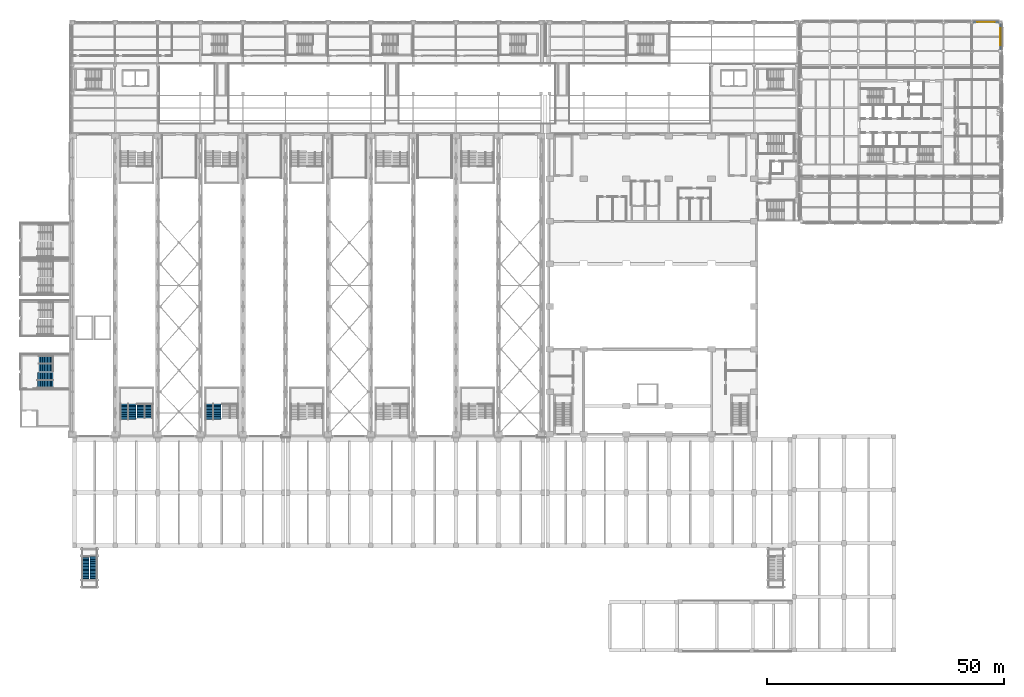
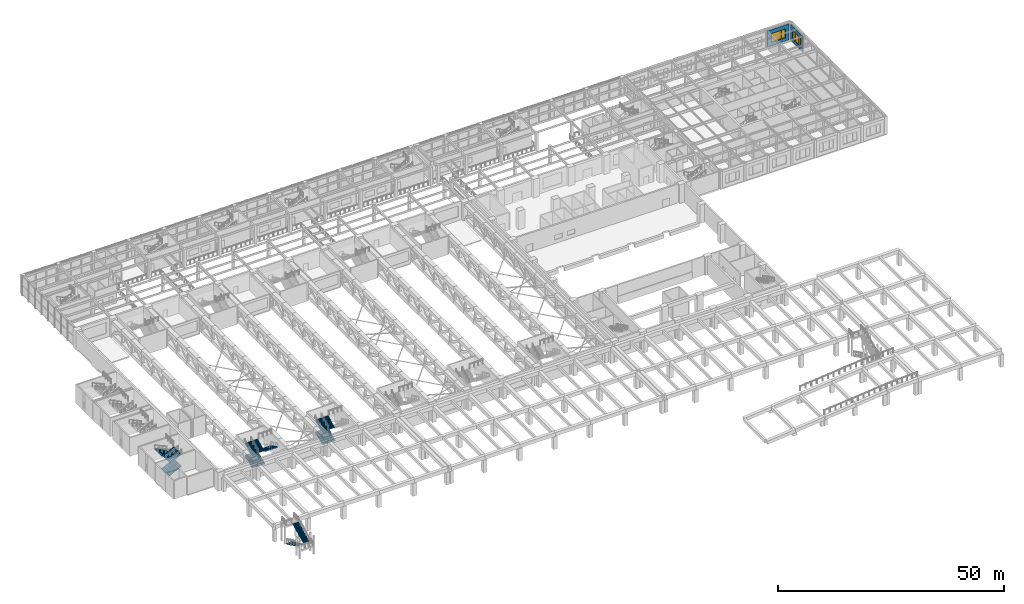
# One storey, part 46 of 76: 18 stair flights, 2 walls, 2 windows, 2 openings, 7 elements without a shape of their own.
"""IFC4 building model written with IfcOpenShell, lengths in metres."""

import ifcopenshell
import ifcopenshell.guid

model = None  # the IFC model being written
_history = None  # IfcOwnerHistory: only IFC2X3 demands one
_inside = {}  # id of a spatial element -> (the spatial element, [elements in it])
_under = {}  # id of a project, library or spatial element -> (it, [spatial elements below it])
_declared = {}  # id of a project -> (the project, [libraries it declares])
_typed = {}  # id of a type object -> (the type object, [elements of that type])
_made_of = {}  # id of a material, layer set ... -> (it, [elements and type objects made of it])


def new_model(schema):
    """Start an empty IFC model of exactly this schema.

    Asked for "IFC4X3", IfcOpenShell would pick the latest addendum, in which some entities
    have other attributes; the version numbers below select the first issue.
    IFC2X3 requires an IfcOwnerHistory on every rooted entity: one is made here for all.
    """
    global model, _history
    if schema == "IFC4X3":
        model = ifcopenshell.file(schema_version=(4, 3, 0, 0))
    else:
        model = ifcopenshell.file(schema=schema)
    _inside.clear()
    _under.clear()
    _declared.clear()
    _typed.clear()
    _made_of.clear()
    _history = None
    if model.schema == "IFC2X3":
        org = make("IfcOrganization", Name="unknown")
        user = make(
            "IfcPersonAndOrganization",
            ThePerson=make("IfcPerson", FamilyName="unknown"),
            TheOrganization=org,
        )
        app = make(
            "IfcApplication",
            ApplicationDeveloper=org,
            Version="unknown",
            ApplicationFullName="unknown",
            ApplicationIdentifier="unknown",
        )
        _history = make(
            "IfcOwnerHistory",
            OwningUser=user,
            OwningApplication=app,
            ChangeAction="ADDED",
            CreationDate=0,
        )
    return model


def make(cls, **values):
    """One entity of the class cls with the attributes given. An attribute that is None is left unset."""
    return model.create_entity(
        cls, **{name: value for name, value in values.items() if value is not None}
    )


def rooted(cls, **values):
    """An entity with a GlobalId (a new one), such as an element, a storey or a relation."""
    return make(cls, GlobalId=ifcopenshell.guid.new(), OwnerHistory=_history, **values)


def si_unit(unit_type, name, prefix=None):
    """IfcSIUnit, for example si_unit("LENGTHUNIT", "METRE", prefix="MILLI")."""
    return make("IfcSIUnit", UnitType=unit_type, Prefix=prefix, Name=name)


def assignment(units):
    """IfcUnitAssignment: the units of a project."""
    return None if units is None else make("IfcUnitAssignment", Units=units)


def point(xyz):
    """IfcCartesianPoint."""
    return None if xyz is None else make("IfcCartesianPoint", Coordinates=xyz)


def direction(xyz):
    """IfcDirection."""
    return None if xyz is None else make("IfcDirection", DirectionRatios=xyz)


def frame(location, z_axis=None, x_axis=None):
    """IfcAxis2Placement3D, a coordinate frame: its origin and axes. An axis left out is left unset."""
    return make(
        "IfcAxis2Placement3D",
        Location=point(location),
        Axis=direction(z_axis),
        RefDirection=direction(x_axis),
    )


def frame_2d(location, x_axis=None):
    """IfcAxis2Placement2D, a coordinate frame in the plane: its origin and x axis."""
    return make(
        "IfcAxis2Placement2D", Location=point(location), RefDirection=direction(x_axis)
    )


def origin():
    """The frame at (0, 0, 0) with its axes left unset."""
    return frame((0.0, 0.0, 0.0))


def place(relative_to, where):
    """IfcLocalPlacement: puts the frame where relative to a parent placement (None: the world)."""
    return make(
        "IfcLocalPlacement", PlacementRelTo=relative_to, RelativePlacement=where
    )


def context(
    kind, dimensions, precision=None, world=None, true_north=None, identifier=None
):
    """IfcGeometricRepresentationContext, for example the 3D "Model" context."""
    return make(
        "IfcGeometricRepresentationContext",
        ContextIdentifier=identifier,
        ContextType=kind,
        CoordinateSpaceDimension=dimensions,
        Precision=precision,
        WorldCoordinateSystem=world,
        TrueNorth=true_north,
    )


def subcontext(parent, identifier, kind, view, scale=None):
    """IfcGeometricRepresentationSubContext, for example "Body" below "Model"."""
    return make(
        "IfcGeometricRepresentationSubContext",
        ContextIdentifier=identifier,
        ContextType=kind,
        ParentContext=parent,
        TargetScale=scale,
        TargetView=view,
    )


def project(units=None, contexts=None):
    """IfcProject with its units and contexts."""
    return rooted(
        "IfcProject",
        Name="project",
        RepresentationContexts=contexts,
        UnitsInContext=assignment(units),
    )


def spatial(cls, under=None, at=None, **own):
    """A site, building, storey or space (cls), placed at a placement, below another one or the project."""
    s = rooted(cls, ObjectPlacement=at, **own)
    if under is not None:
        _under.setdefault(under.id(), (under, []))[1].append(s)
    return s


def polyline(points):
    """IfcPolyline through the points."""
    return make("IfcPolyline", Points=[point(p) for p in points])


def profile(cls, at=None, kind="AREA", **sizes):
    """A parametric profile (cls). Its sizes go by their IFC names, for example OverallWidth=200.0."""
    return make(cls, ProfileType=kind, Position=at, **sizes)


def rectangle(**sizes):
    """IfcRectangleProfileDef."""
    return profile("IfcRectangleProfileDef", **sizes)


def outline(outer, holes=None, kind="AREA"):
    """IfcArbitraryClosedProfileDef: a profile drawn as a closed curve; with holes, ...WithVoids."""
    if holes is None:
        return make("IfcArbitraryClosedProfileDef", ProfileType=kind, OuterCurve=outer)
    return make(
        "IfcArbitraryProfileDefWithVoids",
        ProfileType=kind,
        OuterCurve=outer,
        InnerCurves=holes,
    )


def extrude(swept, where, along, depth):
    """IfcExtrudedAreaSolid: the profile swept, set in the frame where, extruded along a direction by depth."""
    return make(
        "IfcExtrudedAreaSolid",
        SweptArea=swept,
        Position=where,
        ExtrudedDirection=direction(along),
        Depth=depth,
    )


def shape(context_of_items, identifier, shape_type, items):
    """IfcShapeRepresentation: the items that make up one representation, for example the "Body"."""
    return make(
        "IfcShapeRepresentation",
        ContextOfItems=context_of_items,
        RepresentationIdentifier=identifier,
        RepresentationType=shape_type,
        Items=items,
    )


def material(Name=None, Category=None):
    """IfcMaterial."""
    return make("IfcMaterial", Name=Name, Category=Category)


def layer(
    of_material, thickness, ventilated=None, Name=None, Category=None, Priority=None
):
    """IfcMaterialLayer: one layer of a wall or slab, of a material (None: an air gap)."""
    return make(
        "IfcMaterialLayer",
        Material=of_material,
        LayerThickness=thickness,
        IsVentilated=ventilated,
        Name=Name,
        Category=Category,
        Priority=Priority,
    )


def layer_set(layers, Name=None):
    """IfcMaterialLayerSet."""
    return make("IfcMaterialLayerSet", MaterialLayers=layers, LayerSetName=Name)


def made_of(thing, what):
    """Note that an element or type object is made of a material, layer set ...; save() writes the relation."""
    if what is not None:
        _made_of.setdefault(what.id(), (what, []))[1].append(thing)
    return thing


def type_object(cls, material=None, **own):
    """A type object (cls), such as IfcWallType, which elements share."""
    return made_of(rooted(cls, **own), material)


def element(
    cls,
    number,
    at=None,
    inside=None,
    cuts=None,
    type_object=None,
    material=None,
    context=None,
    identifier="Body",
    shape_type=None,
    held_by="IfcProductDefinitionShape",
    body=None,
    shapes=None,
    **own,
):
    """One element of the class cls, such as IfcWall. Its Tag is "e" and its number.

    at: its placement. inside: the storey or other place that contains it. cuts: it is an
    opening in that element (IfcRelVoidsElement). A single representation is given by context,
    identifier, shape_type and body (its items); several are given by shapes. held_by: the class
    of the entity that holds the representations. save() writes the other relations.
    """
    e = rooted(cls, Tag="e%d" % number, ObjectPlacement=at, **own)
    if body is not None:
        shapes = [shape(context, identifier, shape_type, body)]
    if shapes is not None:
        e.Representation = make(held_by, Representations=shapes)
    if inside is not None:
        _inside.setdefault(inside.id(), (inside, []))[1].append(e)
    if cuts is not None:
        rooted(
            "IfcRelVoidsElement", RelatingBuildingElement=cuts, RelatedOpeningElement=e
        )
    if type_object is not None:
        _typed.setdefault(type_object.id(), (type_object, []))[1].append(e)
    return made_of(e, material)


def fill(opening, filler):
    """IfcRelFillsElement: the door or window that sits in an opening."""
    return rooted(
        "IfcRelFillsElement",
        RelatingOpeningElement=opening,
        RelatedBuildingElement=filler,
    )


def aggregate(whole, parts):
    """IfcRelAggregates: a whole, such as a stair, and the parts it consists of."""
    return rooted("IfcRelAggregates", RelatingObject=whole, RelatedObjects=parts)


def save(model, path):
    """Write the relations noted so far, then the file.

    IfcRelAggregates (storeys below a building ...), IfcRelContainedInSpatialStructure (elements
    in a storey), IfcRelDefinesByType, IfcRelAssociatesMaterial and IfcRelDeclares: one each for
    every whole, place, type object, material and project.
    """
    for whole, parts in _under.values():
        aggregate(whole, parts)
    for where, things in _inside.values():
        rooted(
            "IfcRelContainedInSpatialStructure",
            RelatedElements=things,
            RelatingStructure=where,
        )
    for kind, things in _typed.values():
        rooted("IfcRelDefinesByType", RelatedObjects=things, RelatingType=kind)
    for what, things in _made_of.values():
        rooted("IfcRelAssociatesMaterial", RelatedObjects=things, RelatingMaterial=what)
    for by, libraries in _declared.values():
        rooted("IfcRelDeclares", RelatingContext=by, RelatedDefinitions=libraries)
    model.write(path)


model = new_model("IFC4")

# Units and contexts
model_context = context("Model", 3, precision=1e-05, world=origin(), true_north=direction((0.0, 1.0)))
body_context = subcontext(model_context, "Body", "Model", "MODEL_VIEW")
ifc_project = project(units=[si_unit("LENGTHUNIT", "METRE"), si_unit("AREAUNIT", "SQUARE_METRE"), si_unit("VOLUMEUNIT", "CUBIC_METRE"), si_unit("PLANEANGLEUNIT", "RADIAN"), si_unit("MASSUNIT", "GRAM", prefix="KILO")], contexts=[model_context])

# Site, building, storey
site_placement = place(None, origin())
site = spatial("IfcSite", under=ifc_project, at=site_placement, CompositionType="ELEMENT")
building_placement = place(site_placement, origin())
building = spatial("IfcBuilding", under=site, at=building_placement, Name="Aravalli Gate Trade Fair Centre", CompositionType="ELEMENT")
storey_placement = place(building_placement, frame((0.0, 0.0, 10.0)))
storey = spatial("IfcBuildingStorey", under=building, at=storey_placement, Name="L02", CompositionType="ELEMENT", Elevation=10.0)

# Wall, opening, window
ifc_material_1 = material(Name="Concrete block masonry", Category="masonry")
ifc_layer_1 = layer(ifc_material_1, 0.2099609375, Name="Block masonry")
ifc_material_2 = material(Name="Terracotta cladding", Category="masonry")
ifc_layer_2 = layer(ifc_material_2, 0.0400390625, Name="Terracotta cladding")
ifc_layer_set = layer_set([ifc_layer_1, ifc_layer_2], Name="Wing terracotta clad infill wall 250")
wall_type = type_object("IfcWallType", Name="Wing terracotta clad infill wall 250", PredefinedType="SOLIDWALL", material=ifc_layer_set)
wall_1_placement = place(storey_placement, frame((196.27490234375, 133.074951171875, 0.0), z_axis=(0.0, 0.0, 1.0), x_axis=(1.0, 0.0, 0.0)))
wall_1 = element("IfcWall", 1, at=wall_1_placement, inside=storey, type_object=wall_type, Name="Facade wall N6 L02", PredefinedType="SOLIDWALL", context=body_context, shape_type="SweptSolid", body=[
    extrude(rectangle(XDim=5.4501953125, YDim=0.25, at=frame_2d((2.72509765625, 0.0))), origin(), (0.0, 0.0, 1.0), 4.35009765625),
])
opening_1_placement = place(wall_1_placement, frame((0.925048828125, 0.0, 0.89990234375)))
opening_1 = element("IfcOpeningElement", 2, at=opening_1_placement, cuts=wall_1, Name="Opening TWN1", PredefinedType="OPENING", context=body_context, shape_type="SweptSolid", body=[
    extrude(rectangle(XDim=3.60009765625, YDim=2.39990234375, at=frame_2d((1.800048828125, 1.199951171875))), frame((0.0, 0.135009765625, 0.0), z_axis=(0.0, -1.0, 0.0), x_axis=(1.0, 0.0, 0.0)), (0.0, 0.0, 1.0), 0.27001953125),
])
ifc_material_3 = material(Name="Aluminium and glass", Category="aluminium")
window_type = type_object("IfcWindowType", Name="Wing chicago window 3600 x 2400", PartitioningType="TRIPLE_PANEL_VERTICAL", PredefinedType="WINDOW", material=ifc_material_3)
window_1_placement = place(opening_1_placement, origin())
window_1 = element("IfcWindow", 3, at=window_1_placement, inside=storey, type_object=window_type, Name="Window N6 L02", OverallHeight=2.39990234375, OverallWidth=3.60009765625, PartitioningType="TRIPLE_PANEL_VERTICAL", PredefinedType="WINDOW", context=body_context, shape_type="SweptSolid", body=[
    extrude(outline(polyline([(0.0, 0.0), (3.60009765625, 0.0), (3.60009765625, 2.39990234375), (0.0, 2.39990234375), (0.0, 0.0)]), holes=[polyline([(0.06005859375, 0.06005859375), (0.9599609375, 0.06005859375), (0.9599609375, 2.33984375), (0.06005859375, 2.33984375), (0.06005859375, 0.06005859375)]), polyline([(1.06005859375, 0.06005859375), (2.539794921875, 0.06005859375), (2.539794921875, 2.33984375), (1.06005859375, 2.33984375), (1.06005859375, 0.06005859375)]), polyline([(2.639892578125, 0.06005859375), (3.539794921875, 0.06005859375), (3.539794921875, 2.33984375), (2.639892578125, 2.33984375), (2.639892578125, 0.06005859375)])]), frame((0.0, 0.030029296875, 0.0), z_axis=(0.0, -1.0, 0.0), x_axis=(1.0, 0.0, 0.0)), (0.0, 0.0, 1.0), 0.06005859375),
    extrude(rectangle(XDim=0.923828125, YDim=2.3037109375, at=frame_2d((0.510009765625, 1.199951171875))), frame((0.0, 0.010009765625, 0.0), z_axis=(0.0, -1.0, 0.0), x_axis=(1.0, 0.0, 0.0)), (0.0, 0.0, 1.0), 0.02001953125),
    extrude(rectangle(XDim=1.503662109375, YDim=2.3037109375, at=frame_2d((1.7998046875, 1.199951171875))), frame((0.0, 0.010009765625, 0.0), z_axis=(0.0, -1.0, 0.0), x_axis=(1.0, 0.0, 0.0)), (0.0, 0.0, 1.0), 0.02001953125),
    extrude(rectangle(XDim=0.923828125, YDim=2.3037109375, at=frame_2d((3.08984375, 1.199951171875))), frame((0.0, 0.010009765625, 0.0), z_axis=(0.0, -1.0, 0.0), x_axis=(1.0, 0.0, 0.0)), (0.0, 0.0, 1.0), 0.02001953125),
])
fill(opening_1, window_1)

wall_2_placement = place(storey_placement, frame((202.074951171875, 127.27490234375, 0.0), z_axis=(0.0, 0.0, 1.0), x_axis=(0.0, 1.0, 0.0)))
wall_2 = element("IfcWall", 4, at=wall_2_placement, inside=storey, type_object=wall_type, Name="Facade wall E6 L02", PredefinedType="SOLIDWALL", context=body_context, shape_type="SweptSolid", body=[
    extrude(rectangle(XDim=5.4501953125, YDim=0.25, at=frame_2d((2.72509765625, 0.0))), origin(), (0.0, 0.0, 1.0), 4.35009765625),
])
opening_2_placement = place(wall_2_placement, frame((0.925048828125, 0.0, 0.89990234375)))
opening_2 = element("IfcOpeningElement", 5, at=opening_2_placement, cuts=wall_2, Name="Opening TWN1", PredefinedType="OPENING", context=body_context, shape_type="SweptSolid", body=[
    extrude(rectangle(XDim=3.60009765625, YDim=2.39990234375, at=frame_2d((1.800048828125, 1.199951171875))), frame((0.0, 0.135009765625, 0.0), z_axis=(0.0, -1.0, 0.0), x_axis=(1.0, 0.0, 0.0)), (0.0, 0.0, 1.0), 0.27001953125),
])
window_2_placement = place(opening_2_placement, origin())
window_2 = element("IfcWindow", 6, at=window_2_placement, inside=storey, type_object=window_type, Name="Window E6 L02", OverallHeight=2.39990234375, OverallWidth=3.60009765625, PartitioningType="TRIPLE_PANEL_VERTICAL", PredefinedType="WINDOW", context=body_context, shape_type="SweptSolid", body=[
    extrude(outline(polyline([(0.0, 0.0), (3.60009765625, 0.0), (3.60009765625, 2.39990234375), (0.0, 2.39990234375), (0.0, 0.0)]), holes=[polyline([(0.06005859375, 0.06005859375), (0.9599609375, 0.06005859375), (0.9599609375, 2.33984375), (0.06005859375, 2.33984375), (0.06005859375, 0.06005859375)]), polyline([(1.06005859375, 0.06005859375), (2.539794921875, 0.06005859375), (2.539794921875, 2.33984375), (1.06005859375, 2.33984375), (1.06005859375, 0.06005859375)]), polyline([(2.639892578125, 0.06005859375), (3.539794921875, 0.06005859375), (3.539794921875, 2.33984375), (2.639892578125, 2.33984375), (2.639892578125, 0.06005859375)])]), frame((0.0, 0.030029296875, 0.0), z_axis=(0.0, -1.0, 0.0), x_axis=(1.0, 0.0, 0.0)), (0.0, 0.0, 1.0), 0.06005859375),
    extrude(rectangle(XDim=0.923828125, YDim=2.3037109375, at=frame_2d((0.510009765625, 1.199951171875))), frame((0.0, 0.010009765625, 0.0), z_axis=(0.0, -1.0, 0.0), x_axis=(1.0, 0.0, 0.0)), (0.0, 0.0, 1.0), 0.02001953125),
    extrude(rectangle(XDim=1.503662109375, YDim=2.3037109375, at=frame_2d((1.7998046875, 1.199951171875))), frame((0.0, 0.010009765625, 0.0), z_axis=(0.0, -1.0, 0.0), x_axis=(1.0, 0.0, 0.0)), (0.0, 0.0, 1.0), 0.02001953125),
    extrude(rectangle(XDim=0.923828125, YDim=2.3037109375, at=frame_2d((3.08984375, 1.199951171875))), frame((0.0, 0.010009765625, 0.0), z_axis=(0.0, -1.0, 0.0), x_axis=(1.0, 0.0, 0.0)), (0.0, 0.0, 1.0), 0.02001953125),
])
fill(opening_2, window_2)

# Stair, stair flights
ifc_material_4 = material(Name="Concrete M45", Category="concrete")
stair_type_1 = type_object("IfcStairType", Name="External stair 1500", PredefinedType="HALF_TURN_STAIR", material=ifc_material_4)
stair_1_placement = place(storey_placement, origin())
stair_1 = element("IfcStair", 7, at=stair_1_placement, inside=storey, type_object=stair_type_1, Name="External stair 1 L02", PredefinedType="HALF_TURN_STAIR")
stair_flight_type_1 = type_object("IfcStairFlightType", Name="External stair flight 1500", PredefinedType="STRAIGHT", material=ifc_material_4)
stair_flight_1_placement = place(storey_placement, frame((8.75, 20.199951171875, 0.0), z_axis=(0.0, 0.0, 1.0), x_axis=(0.0, -1.0, 0.0)))
stair_flight_1 = element("IfcStairFlight", 8, at=stair_flight_1_placement, type_object=stair_flight_type_1, Name="SST3 flight 1", NumberOfRisers=17, NumberOfTreads=16, PredefinedType="STRAIGHT", RiserHeight=0.147058824, TreadLength=0.3, context=body_context, shape_type="SweptSolid", body=[
    extrude(outline(polyline([(0.0, 0.0), (0.0, 0.14697265625), (0.300048828125, 0.14697265625), (0.300048828125, 0.294189453125), (0.60009765625, 0.294189453125), (0.60009765625, 0.441162109375), (0.89990234375, 0.441162109375), (0.89990234375, 0.588134765625), (1.199951171875, 0.588134765625), (1.199951171875, 0.7353515625), (1.5, 0.7353515625), (1.5, 0.88232421875), (1.800048828125, 0.88232421875), (1.800048828125, 1.029296875), (2.10009765625, 1.029296875), (2.10009765625, 1.176513671875), (2.39990234375, 1.176513671875), (2.39990234375, 1.323486328125), (2.699951171875, 1.323486328125), (2.699951171875, 1.470703125), (3.0, 1.470703125), (3.0, 1.61767578125), (3.300048828125, 1.61767578125), (3.300048828125, 1.7646484375), (3.60009765625, 1.7646484375), (3.60009765625, 1.911865234375), (3.89990234375, 1.911865234375), (3.89990234375, 2.058837890625), (4.199951171875, 2.058837890625), (4.199951171875, 2.205810546875), (4.5, 2.205810546875), (4.5, 2.35302734375), (4.800048828125, 2.35302734375), (4.800048828125, 2.5), (4.800048828125, 2.18603515625), (0.340576171875, 0.0), (0.0, 0.0)])), frame((0.0, 0.75, 0.0), z_axis=(0.0, -1.0, 0.0), x_axis=(1.0, 0.0, 0.0)), (0.0, 0.0, 1.0), 1.5),
])
stair_flight_2_placement = place(storey_placement, frame((10.449951171875, 15.39990234375, 2.5), z_axis=(0.0, 0.0, 1.0), x_axis=(0.0, 1.0, 0.0)))
stair_flight_2 = element("IfcStairFlight", 9, at=stair_flight_2_placement, type_object=stair_flight_type_1, Name="SST3 flight 2", NumberOfRisers=17, NumberOfTreads=16, PredefinedType="STRAIGHT", RiserHeight=0.147058824, TreadLength=0.3, context=body_context, shape_type="SweptSolid", body=[
    extrude(outline(polyline([(0.0, 0.0), (0.0, 0.14697265625), (0.300048828125, 0.14697265625), (0.300048828125, 0.294189453125), (0.60009765625, 0.294189453125), (0.60009765625, 0.441162109375), (0.89990234375, 0.441162109375), (0.89990234375, 0.588134765625), (1.199951171875, 0.588134765625), (1.199951171875, 0.7353515625), (1.5, 0.7353515625), (1.5, 0.88232421875), (1.800048828125, 0.88232421875), (1.800048828125, 1.029296875), (2.10009765625, 1.029296875), (2.10009765625, 1.176513671875), (2.39990234375, 1.176513671875), (2.39990234375, 1.323486328125), (2.699951171875, 1.323486328125), (2.699951171875, 1.470703125), (3.0, 1.470703125), (3.0, 1.61767578125), (3.300048828125, 1.61767578125), (3.300048828125, 1.7646484375), (3.60009765625, 1.7646484375), (3.60009765625, 1.911865234375), (3.89990234375, 1.911865234375), (3.89990234375, 2.058837890625), (4.199951171875, 2.058837890625), (4.199951171875, 2.205810546875), (4.5, 2.205810546875), (4.5, 2.35302734375), (4.800048828125, 2.35302734375), (4.800048828125, 2.5), (4.800048828125, 2.18603515625), (0.340576171875, 0.0), (0.0, 0.0)])), frame((0.0, 0.75, 0.0), z_axis=(0.0, -1.0, 0.0), x_axis=(1.0, 0.0, 0.0)), (0.0, 0.0, 1.0), 1.5),
])
aggregate(stair_1, [stair_flight_1, stair_flight_2])

ifc_material_5 = material(Name="Concrete M40", Category="concrete")
stair_type_2 = type_object("IfcStairType", Name="Hall exit stair, three flights", PredefinedType="HALF_TURN_STAIR", material=ifc_material_5)
stair_2_placement = place(storey_placement, origin())
stair_2 = element("IfcStair", 10, at=stair_2_placement, inside=storey, type_object=stair_type_2, Name="Exit stair ST-S02 lane A L02", PredefinedType="HALF_TURN_STAIR")
stair_flight_type_2 = type_object("IfcStairFlightType", Name="Hall exit stair flight", PredefinedType="STRAIGHT", material=ifc_material_5)
stair_flight_3_placement = place(storey_placement, frame((16.919921875, 49.14990234375, 0.0), z_axis=(0.0, 0.0, 1.0), x_axis=(0.0, 1.0, 0.0)))
stair_flight_3 = element("IfcStairFlight", 11, at=stair_flight_3_placement, type_object=stair_flight_type_2, Name="ST-S02A flight 1", NumberOfRisers=12, NumberOfTreads=11, PredefinedType="STRAIGHT", RiserHeight=0.147058824, TreadLength=0.3, context=body_context, shape_type="SweptSolid", body=[
    extrude(outline(polyline([(0.0, 0.0), (0.0, 0.14697265625), (0.300048828125, 0.14697265625), (0.300048828125, 0.294189453125), (0.60009765625, 0.294189453125), (0.60009765625, 0.441162109375), (0.89990234375, 0.441162109375), (0.89990234375, 0.588134765625), (1.199951171875, 0.588134765625), (1.199951171875, 0.7353515625), (1.5, 0.7353515625), (1.5, 0.88232421875), (1.800048828125, 0.88232421875), (1.800048828125, 1.029296875), (2.10009765625, 1.029296875), (2.10009765625, 1.176513671875), (2.39990234375, 1.176513671875), (2.39990234375, 1.323486328125), (2.699951171875, 1.323486328125), (2.699951171875, 1.470703125), (3.0, 1.470703125), (3.0, 1.61767578125), (3.300048828125, 1.61767578125), (3.300048828125, 1.7646484375), (3.300048828125, 1.45068359375), (0.340576171875, 0.0), (0.0, 0.0)])), frame((0.0, 0.81982421875, 0.0), z_axis=(0.0, -1.0, 0.0), x_axis=(1.0, 0.0, 0.0)), (0.0, 0.0, 1.0), 1.639892578125),
])
stair_flight_4_placement = place(storey_placement, frame((20.419921875, 52.449951171875, 1.7646484375), z_axis=(0.0, 0.0, 1.0), x_axis=(0.0, -1.0, 0.0)))
stair_flight_4 = element("IfcStairFlight", 12, at=stair_flight_4_placement, type_object=stair_flight_type_2, Name="ST-S02A flight 2", NumberOfRisers=11, NumberOfTreads=10, PredefinedType="STRAIGHT", RiserHeight=0.147058824, TreadLength=0.3, context=body_context, shape_type="SweptSolid", body=[
    extrude(outline(polyline([(0.0, 0.0), (0.0, 0.14697265625), (0.300048828125, 0.14697265625), (0.300048828125, 0.294189453125), (0.60009765625, 0.294189453125), (0.60009765625, 0.441162109375), (0.89990234375, 0.441162109375), (0.89990234375, 0.588134765625), (1.199951171875, 0.588134765625), (1.199951171875, 0.7353515625), (1.5, 0.7353515625), (1.5, 0.88232421875), (1.800048828125, 0.88232421875), (1.800048828125, 1.029296875), (2.10009765625, 1.029296875), (2.10009765625, 1.176513671875), (2.39990234375, 1.176513671875), (2.39990234375, 1.323486328125), (2.699951171875, 1.323486328125), (2.699951171875, 1.470703125), (3.0, 1.470703125), (3.0, 1.61767578125), (3.0, 1.3037109375), (0.340576171875, 0.0), (0.0, 0.0)])), frame((0.0, 0.81982421875, 0.0), z_axis=(0.0, -1.0, 0.0), x_axis=(1.0, 0.0, 0.0)), (0.0, 0.0, 1.0), 1.639892578125),
])
stair_flight_5_placement = place(storey_placement, frame((16.919921875, 49.449951171875, 3.38232421875), z_axis=(0.0, 0.0, 1.0), x_axis=(0.0, 1.0, 0.0)))
stair_flight_5 = element("IfcStairFlight", 13, at=stair_flight_5_placement, type_object=stair_flight_type_2, Name="ST-S02A flight 3", NumberOfRisers=11, NumberOfTreads=10, PredefinedType="STRAIGHT", RiserHeight=0.147058824, TreadLength=0.3, context=body_context, shape_type="SweptSolid", body=[
    extrude(outline(polyline([(0.0, 0.0), (0.0, 0.14697265625), (0.300048828125, 0.14697265625), (0.300048828125, 0.294189453125), (0.60009765625, 0.294189453125), (0.60009765625, 0.441162109375), (0.89990234375, 0.441162109375), (0.89990234375, 0.588134765625), (1.199951171875, 0.588134765625), (1.199951171875, 0.7353515625), (1.5, 0.7353515625), (1.5, 0.88232421875), (1.800048828125, 0.88232421875), (1.800048828125, 1.029296875), (2.10009765625, 1.029296875), (2.10009765625, 1.176513671875), (2.39990234375, 1.176513671875), (2.39990234375, 1.323486328125), (2.699951171875, 1.323486328125), (2.699951171875, 1.470703125), (3.0, 1.470703125), (3.0, 1.61767578125), (3.0, 1.3037109375), (0.340576171875, 0.0), (0.0, 0.0)])), frame((0.0, 0.81982421875, 0.0), z_axis=(0.0, -1.0, 0.0), x_axis=(1.0, 0.0, 0.0)), (0.0, 0.0, 1.0), 1.639892578125),
])
aggregate(stair_2, [stair_flight_3, stair_flight_4, stair_flight_5])

stair_3_placement = place(storey_placement, origin())
stair_3 = element("IfcStair", 14, at=stair_3_placement, inside=storey, type_object=stair_type_2, Name="Exit stair ST-S02 lane B L02", PredefinedType="HALF_TURN_STAIR")
stair_flight_6_placement = place(storey_placement, frame((18.580078125, 49.14990234375, 0.0), z_axis=(0.0, 0.0, 1.0), x_axis=(0.0, 1.0, 0.0)))
stair_flight_6 = element("IfcStairFlight", 15, at=stair_flight_6_placement, type_object=stair_flight_type_2, Name="ST-S02B flight 1", NumberOfRisers=12, NumberOfTreads=11, PredefinedType="STRAIGHT", RiserHeight=0.147058824, TreadLength=0.3, context=body_context, shape_type="SweptSolid", body=[
    extrude(outline(polyline([(0.0, 0.0), (0.0, 0.14697265625), (0.300048828125, 0.14697265625), (0.300048828125, 0.294189453125), (0.60009765625, 0.294189453125), (0.60009765625, 0.441162109375), (0.89990234375, 0.441162109375), (0.89990234375, 0.588134765625), (1.199951171875, 0.588134765625), (1.199951171875, 0.7353515625), (1.5, 0.7353515625), (1.5, 0.88232421875), (1.800048828125, 0.88232421875), (1.800048828125, 1.029296875), (2.10009765625, 1.029296875), (2.10009765625, 1.176513671875), (2.39990234375, 1.176513671875), (2.39990234375, 1.323486328125), (2.699951171875, 1.323486328125), (2.699951171875, 1.470703125), (3.0, 1.470703125), (3.0, 1.61767578125), (3.300048828125, 1.61767578125), (3.300048828125, 1.7646484375), (3.300048828125, 1.45068359375), (0.340576171875, 0.0), (0.0, 0.0)])), frame((0.0, 0.81982421875, 0.0), z_axis=(0.0, -1.0, 0.0), x_axis=(1.0, 0.0, 0.0)), (0.0, 0.0, 1.0), 1.639892578125),
])
stair_flight_7_placement = place(storey_placement, frame((22.080078125, 52.449951171875, 1.7646484375), z_axis=(0.0, 0.0, 1.0), x_axis=(0.0, -1.0, 0.0)))
stair_flight_7 = element("IfcStairFlight", 16, at=stair_flight_7_placement, type_object=stair_flight_type_2, Name="ST-S02B flight 2", NumberOfRisers=11, NumberOfTreads=10, PredefinedType="STRAIGHT", RiserHeight=0.147058824, TreadLength=0.3, context=body_context, shape_type="SweptSolid", body=[
    extrude(outline(polyline([(0.0, 0.0), (0.0, 0.14697265625), (0.300048828125, 0.14697265625), (0.300048828125, 0.294189453125), (0.60009765625, 0.294189453125), (0.60009765625, 0.441162109375), (0.89990234375, 0.441162109375), (0.89990234375, 0.588134765625), (1.199951171875, 0.588134765625), (1.199951171875, 0.7353515625), (1.5, 0.7353515625), (1.5, 0.88232421875), (1.800048828125, 0.88232421875), (1.800048828125, 1.029296875), (2.10009765625, 1.029296875), (2.10009765625, 1.176513671875), (2.39990234375, 1.176513671875), (2.39990234375, 1.323486328125), (2.699951171875, 1.323486328125), (2.699951171875, 1.470703125), (3.0, 1.470703125), (3.0, 1.61767578125), (3.0, 1.3037109375), (0.340576171875, 0.0), (0.0, 0.0)])), frame((0.0, 0.81982421875, 0.0), z_axis=(0.0, -1.0, 0.0), x_axis=(1.0, 0.0, 0.0)), (0.0, 0.0, 1.0), 1.639892578125),
])
stair_flight_8_placement = place(storey_placement, frame((18.580078125, 49.449951171875, 3.38232421875), z_axis=(0.0, 0.0, 1.0), x_axis=(0.0, 1.0, 0.0)))
stair_flight_8 = element("IfcStairFlight", 17, at=stair_flight_8_placement, type_object=stair_flight_type_2, Name="ST-S02B flight 3", NumberOfRisers=11, NumberOfTreads=10, PredefinedType="STRAIGHT", RiserHeight=0.147058824, TreadLength=0.3, context=body_context, shape_type="SweptSolid", body=[
    extrude(outline(polyline([(0.0, 0.0), (0.0, 0.14697265625), (0.300048828125, 0.14697265625), (0.300048828125, 0.294189453125), (0.60009765625, 0.294189453125), (0.60009765625, 0.441162109375), (0.89990234375, 0.441162109375), (0.89990234375, 0.588134765625), (1.199951171875, 0.588134765625), (1.199951171875, 0.7353515625), (1.5, 0.7353515625), (1.5, 0.88232421875), (1.800048828125, 0.88232421875), (1.800048828125, 1.029296875), (2.10009765625, 1.029296875), (2.10009765625, 1.176513671875), (2.39990234375, 1.176513671875), (2.39990234375, 1.323486328125), (2.699951171875, 1.323486328125), (2.699951171875, 1.470703125), (3.0, 1.470703125), (3.0, 1.61767578125), (3.0, 1.3037109375), (0.340576171875, 0.0), (0.0, 0.0)])), frame((0.0, 0.81982421875, 0.0), z_axis=(0.0, -1.0, 0.0), x_axis=(1.0, 0.0, 0.0)), (0.0, 0.0, 1.0), 1.639892578125),
])
aggregate(stair_3, [stair_flight_6, stair_flight_7, stair_flight_8])

stair_4_placement = place(storey_placement, origin())
stair_4 = element("IfcStair", 18, at=stair_4_placement, inside=storey, type_object=stair_type_2, Name="Exit stair ST-S04 lane A L02", PredefinedType="HALF_TURN_STAIR")
stair_flight_9_placement = place(storey_placement, frame((34.919921875, 49.14990234375, 0.0), z_axis=(0.0, 0.0, 1.0), x_axis=(0.0, 1.0, 0.0)))
stair_flight_9 = element("IfcStairFlight", 19, at=stair_flight_9_placement, type_object=stair_flight_type_2, Name="ST-S04A flight 1", NumberOfRisers=12, NumberOfTreads=11, PredefinedType="STRAIGHT", RiserHeight=0.147058824, TreadLength=0.3, context=body_context, shape_type="SweptSolid", body=[
    extrude(outline(polyline([(0.0, 0.0), (0.0, 0.14697265625), (0.300048828125, 0.14697265625), (0.300048828125, 0.294189453125), (0.60009765625, 0.294189453125), (0.60009765625, 0.441162109375), (0.89990234375, 0.441162109375), (0.89990234375, 0.588134765625), (1.199951171875, 0.588134765625), (1.199951171875, 0.7353515625), (1.5, 0.7353515625), (1.5, 0.88232421875), (1.800048828125, 0.88232421875), (1.800048828125, 1.029296875), (2.10009765625, 1.029296875), (2.10009765625, 1.176513671875), (2.39990234375, 1.176513671875), (2.39990234375, 1.323486328125), (2.699951171875, 1.323486328125), (2.699951171875, 1.470703125), (3.0, 1.470703125), (3.0, 1.61767578125), (3.300048828125, 1.61767578125), (3.300048828125, 1.7646484375), (3.300048828125, 1.45068359375), (0.340576171875, 0.0), (0.0, 0.0)])), frame((0.0, 0.81982421875, 0.0), z_axis=(0.0, -1.0, 0.0), x_axis=(1.0, 0.0, 0.0)), (0.0, 0.0, 1.0), 1.639892578125),
])
stair_flight_10_placement = place(storey_placement, frame((34.919921875, 49.449951171875, 3.38232421875), z_axis=(0.0, 0.0, 1.0), x_axis=(0.0, 1.0, 0.0)))
stair_flight_10 = element("IfcStairFlight", 20, at=stair_flight_10_placement, type_object=stair_flight_type_2, Name="ST-S04A flight 3", NumberOfRisers=11, NumberOfTreads=10, PredefinedType="STRAIGHT", RiserHeight=0.147058824, TreadLength=0.3, context=body_context, shape_type="SweptSolid", body=[
    extrude(outline(polyline([(0.0, 0.0), (0.0, 0.14697265625), (0.300048828125, 0.14697265625), (0.300048828125, 0.294189453125), (0.60009765625, 0.294189453125), (0.60009765625, 0.441162109375), (0.89990234375, 0.441162109375), (0.89990234375, 0.588134765625), (1.199951171875, 0.588134765625), (1.199951171875, 0.7353515625), (1.5, 0.7353515625), (1.5, 0.88232421875), (1.800048828125, 0.88232421875), (1.800048828125, 1.029296875), (2.10009765625, 1.029296875), (2.10009765625, 1.176513671875), (2.39990234375, 1.176513671875), (2.39990234375, 1.323486328125), (2.699951171875, 1.323486328125), (2.699951171875, 1.470703125), (3.0, 1.470703125), (3.0, 1.61767578125), (3.0, 1.3037109375), (0.340576171875, 0.0), (0.0, 0.0)])), frame((0.0, 0.81982421875, 0.0), z_axis=(0.0, -1.0, 0.0), x_axis=(1.0, 0.0, 0.0)), (0.0, 0.0, 1.0), 1.639892578125),
])
aggregate(stair_4, [stair_flight_9, stair_flight_10])

stair_5_placement = place(storey_placement, origin())
stair_5 = element("IfcStair", 21, at=stair_5_placement, inside=storey, type_object=stair_type_2, Name="Exit stair ST-S04 lane B L02", PredefinedType="HALF_TURN_STAIR")
stair_flight_11_placement = place(storey_placement, frame((36.580078125, 49.14990234375, 0.0), z_axis=(0.0, 0.0, 1.0), x_axis=(0.0, 1.0, 0.0)))
stair_flight_11 = element("IfcStairFlight", 22, at=stair_flight_11_placement, type_object=stair_flight_type_2, Name="ST-S04B flight 1", NumberOfRisers=12, NumberOfTreads=11, PredefinedType="STRAIGHT", RiserHeight=0.147058824, TreadLength=0.3, context=body_context, shape_type="SweptSolid", body=[
    extrude(outline(polyline([(0.0, 0.0), (0.0, 0.14697265625), (0.300048828125, 0.14697265625), (0.300048828125, 0.294189453125), (0.60009765625, 0.294189453125), (0.60009765625, 0.441162109375), (0.89990234375, 0.441162109375), (0.89990234375, 0.588134765625), (1.199951171875, 0.588134765625), (1.199951171875, 0.7353515625), (1.5, 0.7353515625), (1.5, 0.88232421875), (1.800048828125, 0.88232421875), (1.800048828125, 1.029296875), (2.10009765625, 1.029296875), (2.10009765625, 1.176513671875), (2.39990234375, 1.176513671875), (2.39990234375, 1.323486328125), (2.699951171875, 1.323486328125), (2.699951171875, 1.470703125), (3.0, 1.470703125), (3.0, 1.61767578125), (3.300048828125, 1.61767578125), (3.300048828125, 1.7646484375), (3.300048828125, 1.45068359375), (0.340576171875, 0.0), (0.0, 0.0)])), frame((0.0, 0.81982421875, 0.0), z_axis=(0.0, -1.0, 0.0), x_axis=(1.0, 0.0, 0.0)), (0.0, 0.0, 1.0), 1.639892578125),
])
stair_flight_12_placement = place(storey_placement, frame((36.580078125, 49.449951171875, 3.38232421875), z_axis=(0.0, 0.0, 1.0), x_axis=(0.0, 1.0, 0.0)))
stair_flight_12 = element("IfcStairFlight", 23, at=stair_flight_12_placement, type_object=stair_flight_type_2, Name="ST-S04B flight 3", NumberOfRisers=11, NumberOfTreads=10, PredefinedType="STRAIGHT", RiserHeight=0.147058824, TreadLength=0.3, context=body_context, shape_type="SweptSolid", body=[
    extrude(outline(polyline([(0.0, 0.0), (0.0, 0.14697265625), (0.300048828125, 0.14697265625), (0.300048828125, 0.294189453125), (0.60009765625, 0.294189453125), (0.60009765625, 0.441162109375), (0.89990234375, 0.441162109375), (0.89990234375, 0.588134765625), (1.199951171875, 0.588134765625), (1.199951171875, 0.7353515625), (1.5, 0.7353515625), (1.5, 0.88232421875), (1.800048828125, 0.88232421875), (1.800048828125, 1.029296875), (2.10009765625, 1.029296875), (2.10009765625, 1.176513671875), (2.39990234375, 1.176513671875), (2.39990234375, 1.323486328125), (2.699951171875, 1.323486328125), (2.699951171875, 1.470703125), (3.0, 1.470703125), (3.0, 1.61767578125), (3.0, 1.3037109375), (0.340576171875, 0.0), (0.0, 0.0)])), frame((0.0, 0.81982421875, 0.0), z_axis=(0.0, -1.0, 0.0), x_axis=(1.0, 0.0, 0.0)), (0.0, 0.0, 1.0), 1.639892578125),
])
aggregate(stair_5, [stair_flight_11, stair_flight_12])

stair_6_placement = place(storey_placement, origin())
stair_6 = element("IfcStair", 24, at=stair_6_placement, inside=storey, type_object=stair_type_2, Name="Exit stair ST-W1 lane A L02", PredefinedType="HALF_TURN_STAIR")
stair_flight_13_placement = place(storey_placement, frame((-1.39990234375, 56.6201171875, 0.0), z_axis=(0.0, 0.0, 1.0), x_axis=(1.0, 0.0, 0.0)))
stair_flight_13 = element("IfcStairFlight", 25, at=stair_flight_13_placement, type_object=stair_flight_type_2, Name="ST-W1A flight 1", NumberOfRisers=12, NumberOfTreads=11, PredefinedType="STRAIGHT", RiserHeight=0.147058824, TreadLength=0.3, context=body_context, shape_type="SweptSolid", body=[
    extrude(outline(polyline([(0.0, 0.0), (0.0, 0.14697265625), (0.300048828125, 0.14697265625), (0.300048828125, 0.294189453125), (0.60009765625, 0.294189453125), (0.60009765625, 0.441162109375), (0.89990234375, 0.441162109375), (0.89990234375, 0.588134765625), (1.199951171875, 0.588134765625), (1.199951171875, 0.7353515625), (1.5, 0.7353515625), (1.5, 0.88232421875), (1.800048828125, 0.88232421875), (1.800048828125, 1.029296875), (2.10009765625, 1.029296875), (2.10009765625, 1.176513671875), (2.39990234375, 1.176513671875), (2.39990234375, 1.323486328125), (2.699951171875, 1.323486328125), (2.699951171875, 1.470703125), (3.0, 1.470703125), (3.0, 1.61767578125), (3.300048828125, 1.61767578125), (3.300048828125, 1.7646484375), (3.300048828125, 1.45068359375), (0.340576171875, 0.0), (0.0, 0.0)])), frame((0.0, 0.81982421875, 0.0), z_axis=(0.0, -1.0, 0.0), x_axis=(1.0, 0.0, 0.0)), (0.0, 0.0, 1.0), 1.639892578125),
])
stair_flight_14_placement = place(storey_placement, frame((1.89990234375, 60.1201171875, 1.7646484375), z_axis=(0.0, 0.0, 1.0), x_axis=(-1.0, 0.0, 0.0)))
stair_flight_14 = element("IfcStairFlight", 26, at=stair_flight_14_placement, type_object=stair_flight_type_2, Name="ST-W1A flight 2", NumberOfRisers=11, NumberOfTreads=10, PredefinedType="STRAIGHT", RiserHeight=0.147058824, TreadLength=0.3, context=body_context, shape_type="SweptSolid", body=[
    extrude(outline(polyline([(0.0, 0.0), (0.0, 0.14697265625), (0.300048828125, 0.14697265625), (0.300048828125, 0.294189453125), (0.60009765625, 0.294189453125), (0.60009765625, 0.441162109375), (0.89990234375, 0.441162109375), (0.89990234375, 0.588134765625), (1.199951171875, 0.588134765625), (1.199951171875, 0.7353515625), (1.5, 0.7353515625), (1.5, 0.88232421875), (1.800048828125, 0.88232421875), (1.800048828125, 1.029296875), (2.10009765625, 1.029296875), (2.10009765625, 1.176513671875), (2.39990234375, 1.176513671875), (2.39990234375, 1.323486328125), (2.699951171875, 1.323486328125), (2.699951171875, 1.470703125), (3.0, 1.470703125), (3.0, 1.61767578125), (3.0, 1.3037109375), (0.340576171875, 0.0), (0.0, 0.0)])), frame((0.0, 0.81982421875, 0.0), z_axis=(0.0, -1.0, 0.0), x_axis=(1.0, 0.0, 0.0)), (0.0, 0.0, 1.0), 1.639892578125),
])
stair_flight_15_placement = place(storey_placement, frame((-1.10009765625, 56.6201171875, 3.38232421875), z_axis=(0.0, 0.0, 1.0), x_axis=(1.0, 0.0, 0.0)))
stair_flight_15 = element("IfcStairFlight", 27, at=stair_flight_15_placement, type_object=stair_flight_type_2, Name="ST-W1A flight 3", NumberOfRisers=11, NumberOfTreads=10, PredefinedType="STRAIGHT", RiserHeight=0.147058824, TreadLength=0.3, context=body_context, shape_type="SweptSolid", body=[
    extrude(outline(polyline([(0.0, 0.0), (0.0, 0.14697265625), (0.300048828125, 0.14697265625), (0.300048828125, 0.294189453125), (0.60009765625, 0.294189453125), (0.60009765625, 0.441162109375), (0.89990234375, 0.441162109375), (0.89990234375, 0.588134765625), (1.199951171875, 0.588134765625), (1.199951171875, 0.7353515625), (1.5, 0.7353515625), (1.5, 0.88232421875), (1.800048828125, 0.88232421875), (1.800048828125, 1.029296875), (2.10009765625, 1.029296875), (2.10009765625, 1.176513671875), (2.39990234375, 1.176513671875), (2.39990234375, 1.323486328125), (2.699951171875, 1.323486328125), (2.699951171875, 1.470703125), (3.0, 1.470703125), (3.0, 1.61767578125), (3.0, 1.3037109375), (0.340576171875, 0.0), (0.0, 0.0)])), frame((0.0, 0.81982421875, 0.0), z_axis=(0.0, -1.0, 0.0), x_axis=(1.0, 0.0, 0.0)), (0.0, 0.0, 1.0), 1.639892578125),
])
aggregate(stair_6, [stair_flight_13, stair_flight_14, stair_flight_15])

stair_7_placement = place(storey_placement, origin())
stair_7 = element("IfcStair", 28, at=stair_7_placement, inside=storey, type_object=stair_type_2, Name="Exit stair ST-W1 lane B L02", PredefinedType="HALF_TURN_STAIR")
stair_flight_16_placement = place(storey_placement, frame((-1.39990234375, 58.280029296875, 0.0), z_axis=(0.0, 0.0, 1.0), x_axis=(1.0, 0.0, 0.0)))
stair_flight_16 = element("IfcStairFlight", 29, at=stair_flight_16_placement, type_object=stair_flight_type_2, Name="ST-W1B flight 1", NumberOfRisers=12, NumberOfTreads=11, PredefinedType="STRAIGHT", RiserHeight=0.147058824, TreadLength=0.3, context=body_context, shape_type="SweptSolid", body=[
    extrude(outline(polyline([(0.0, 0.0), (0.0, 0.14697265625), (0.300048828125, 0.14697265625), (0.300048828125, 0.294189453125), (0.60009765625, 0.294189453125), (0.60009765625, 0.441162109375), (0.89990234375, 0.441162109375), (0.89990234375, 0.588134765625), (1.199951171875, 0.588134765625), (1.199951171875, 0.7353515625), (1.5, 0.7353515625), (1.5, 0.88232421875), (1.800048828125, 0.88232421875), (1.800048828125, 1.029296875), (2.10009765625, 1.029296875), (2.10009765625, 1.176513671875), (2.39990234375, 1.176513671875), (2.39990234375, 1.323486328125), (2.699951171875, 1.323486328125), (2.699951171875, 1.470703125), (3.0, 1.470703125), (3.0, 1.61767578125), (3.300048828125, 1.61767578125), (3.300048828125, 1.7646484375), (3.300048828125, 1.45068359375), (0.340576171875, 0.0), (0.0, 0.0)])), frame((0.0, 0.81982421875, 0.0), z_axis=(0.0, -1.0, 0.0), x_axis=(1.0, 0.0, 0.0)), (0.0, 0.0, 1.0), 1.639892578125),
])
stair_flight_17_placement = place(storey_placement, frame((1.89990234375, 61.780029296875, 1.7646484375), z_axis=(0.0, 0.0, 1.0), x_axis=(-1.0, 0.0, 0.0)))
stair_flight_17 = element("IfcStairFlight", 30, at=stair_flight_17_placement, type_object=stair_flight_type_2, Name="ST-W1B flight 2", NumberOfRisers=11, NumberOfTreads=10, PredefinedType="STRAIGHT", RiserHeight=0.147058824, TreadLength=0.3, context=body_context, shape_type="SweptSolid", body=[
    extrude(outline(polyline([(0.0, 0.0), (0.0, 0.14697265625), (0.300048828125, 0.14697265625), (0.300048828125, 0.294189453125), (0.60009765625, 0.294189453125), (0.60009765625, 0.441162109375), (0.89990234375, 0.441162109375), (0.89990234375, 0.588134765625), (1.199951171875, 0.588134765625), (1.199951171875, 0.7353515625), (1.5, 0.7353515625), (1.5, 0.88232421875), (1.800048828125, 0.88232421875), (1.800048828125, 1.029296875), (2.10009765625, 1.029296875), (2.10009765625, 1.176513671875), (2.39990234375, 1.176513671875), (2.39990234375, 1.323486328125), (2.699951171875, 1.323486328125), (2.699951171875, 1.470703125), (3.0, 1.470703125), (3.0, 1.61767578125), (3.0, 1.3037109375), (0.340576171875, 0.0), (0.0, 0.0)])), frame((0.0, 0.81982421875, 0.0), z_axis=(0.0, -1.0, 0.0), x_axis=(1.0, 0.0, 0.0)), (0.0, 0.0, 1.0), 1.639892578125),
])
stair_flight_18_placement = place(storey_placement, frame((-1.10009765625, 58.280029296875, 3.38232421875), z_axis=(0.0, 0.0, 1.0), x_axis=(1.0, 0.0, 0.0)))
stair_flight_18 = element("IfcStairFlight", 31, at=stair_flight_18_placement, type_object=stair_flight_type_2, Name="ST-W1B flight 3", NumberOfRisers=11, NumberOfTreads=10, PredefinedType="STRAIGHT", RiserHeight=0.147058824, TreadLength=0.3, context=body_context, shape_type="SweptSolid", body=[
    extrude(outline(polyline([(0.0, 0.0), (0.0, 0.14697265625), (0.300048828125, 0.14697265625), (0.300048828125, 0.294189453125), (0.60009765625, 0.294189453125), (0.60009765625, 0.441162109375), (0.89990234375, 0.441162109375), (0.89990234375, 0.588134765625), (1.199951171875, 0.588134765625), (1.199951171875, 0.7353515625), (1.5, 0.7353515625), (1.5, 0.88232421875), (1.800048828125, 0.88232421875), (1.800048828125, 1.029296875), (2.10009765625, 1.029296875), (2.10009765625, 1.176513671875), (2.39990234375, 1.176513671875), (2.39990234375, 1.323486328125), (2.699951171875, 1.323486328125), (2.699951171875, 1.470703125), (3.0, 1.470703125), (3.0, 1.61767578125), (3.0, 1.3037109375), (0.340576171875, 0.0), (0.0, 0.0)])), frame((0.0, 0.81982421875, 0.0), z_axis=(0.0, -1.0, 0.0), x_axis=(1.0, 0.0, 0.0)), (0.0, 0.0, 1.0), 1.639892578125),
])
aggregate(stair_7, [stair_flight_16, stair_flight_17, stair_flight_18])

save(model, "model.ifc")
